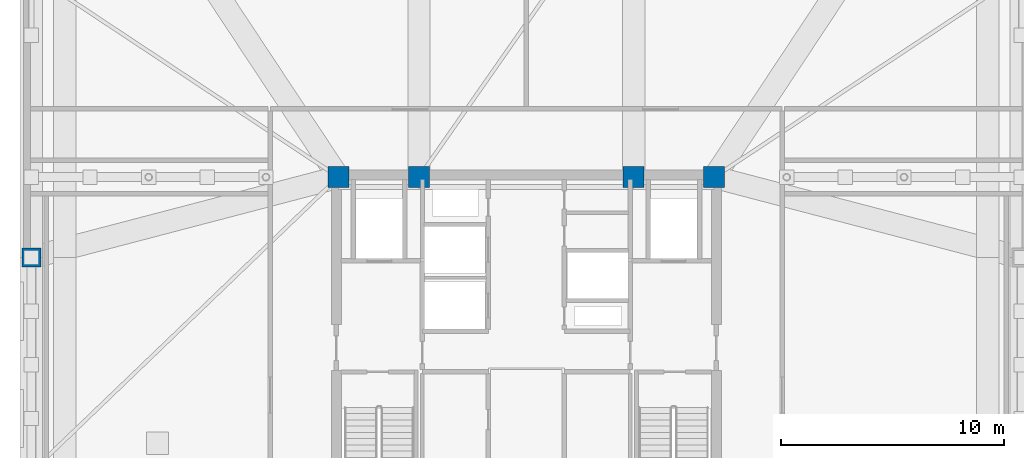
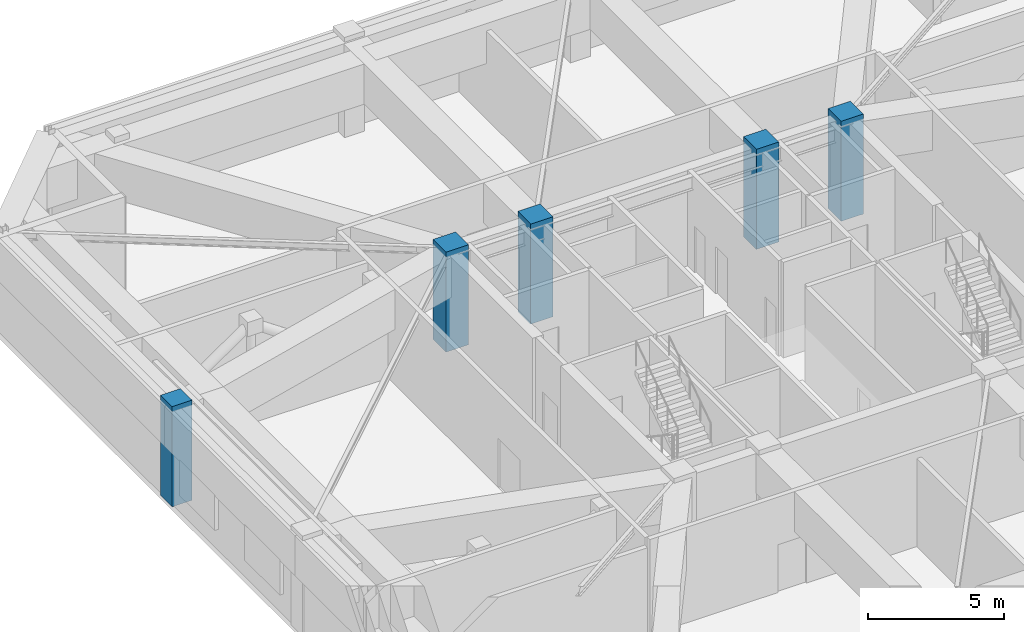
# One storey, part 2 of 17: 5 columns.
"""IFC4 building model written with IfcOpenShell, lengths in metres."""

from ifc_helpers import new_model, si_unit, direction, frame, origin, origin_2d, place, context, subcontext, project, spatial, rectangle, extrude, material, material_profile, profile_set, type_object, element, save


model = new_model("IFC4")

# Units and contexts
model_context = context("Model", 3, precision=1e-05, world=origin(), true_north=direction((0.0, 1.0)))
body_context = subcontext(model_context, "Body", "Model", "MODEL_VIEW")
ifc_project = project(units=[si_unit("LENGTHUNIT", "METRE"), si_unit("AREAUNIT", "SQUARE_METRE"), si_unit("VOLUMEUNIT", "CUBIC_METRE"), si_unit("PLANEANGLEUNIT", "RADIAN"), si_unit("MASSUNIT", "GRAM", prefix="KILO")], contexts=[model_context])

# Site, building, storey
site_placement = place(None, origin())
site = spatial("IfcSite", under=ifc_project, at=site_placement, CompositionType="ELEMENT")
building_placement = place(site_placement, origin())
building = spatial("IfcBuilding", under=site, at=building_placement, Name="Cairnveth Concourse Tower", CompositionType="ELEMENT")
storey_placement = place(building_placement, frame((0.0, 0.0, 276.0)))
storey = spatial("IfcBuildingStorey", under=building, at=storey_placement, Name="L76", CompositionType="ELEMENT", Elevation=276.0)

# Columns
ifc_material = material(Name="Concrete N65 (65 MPa)", Category="concrete")
ifc_material_profile_1 = material_profile(ifc_material, rectangle(XDim=0.949951171875, YDim=0.949951171875, at=origin_2d()), Name="RC-COL-950x950")
ifc_profile_set_1 = profile_set([ifc_material_profile_1], Name="Concrete N65 (65 MPa)")
column_type_1 = type_object("IfcColumnType", Name="CORE COLUMN 950X950", PredefinedType="COLUMN", material=ifc_profile_set_1)
for number, where, z_axis, x_axis, name in (
    (1, (43.60009765625, 47.39990234375, 0.0), (0.0, 0.0, 1.0), (1.0, 0.0, 0.0), "Column CC5 L76"),
    (2, (47.199951171875, 47.39990234375, 0.0), (0.0, 0.0, 1.0), (1.0, 0.0, 0.0), "Column CC6 L76"),
    (3, (56.800048828125, 47.39990234375, 0.0), (0.0, 0.0, 1.0), (1.0, 0.0, 0.0), "Column CC7 L76"),
    (4, (60.39990234375, 47.39990234375, 0.0), (0.0, 0.0, 1.0), (1.0, 0.0, 0.0), "Column CC8 L76"),
):
    element("IfcColumn", number, at=place(storey_placement, frame(where, z_axis=z_axis, x_axis=x_axis)), inside=storey, type_object=column_type_1, Name=name, PredefinedType="COLUMN", context=body_context, shape_type="SweptSolid", body=[
        extrude(rectangle(XDim=0.949951171875, YDim=0.949951171875, at=origin_2d()), origin(), (0.0, 0.0, 1.0), 4.5),
    ])
ifc_material_profile_2 = material_profile(ifc_material, rectangle(XDim=0.85009765625, YDim=0.85009765625, at=origin_2d()), Name="RC-COL-850x850")
ifc_profile_set_2 = profile_set([ifc_material_profile_2], Name="Concrete N65 (65 MPa)")
column_type_2 = type_object("IfcColumnType", Name="PERIMETER PIER COLUMN 850X850", PredefinedType="COLUMN", material=ifc_profile_set_2)
column_placement = place(storey_placement, frame((29.85009765625, 43.800048828125, 0.0), z_axis=(0.0, 0.0, 1.0), x_axis=(0.0, 1.0, 0.0)))
element("IfcColumn", 5, at=column_placement, inside=storey, type_object=column_type_2, Name="Column P-W2 L76", PredefinedType="COLUMN", context=body_context, shape_type="SweptSolid", body=[
    extrude(rectangle(XDim=0.85009765625, YDim=0.85009765625, at=origin_2d()), origin(), (0.0, 0.0, 1.0), 4.5),
])

save(model, "model.ifc")
